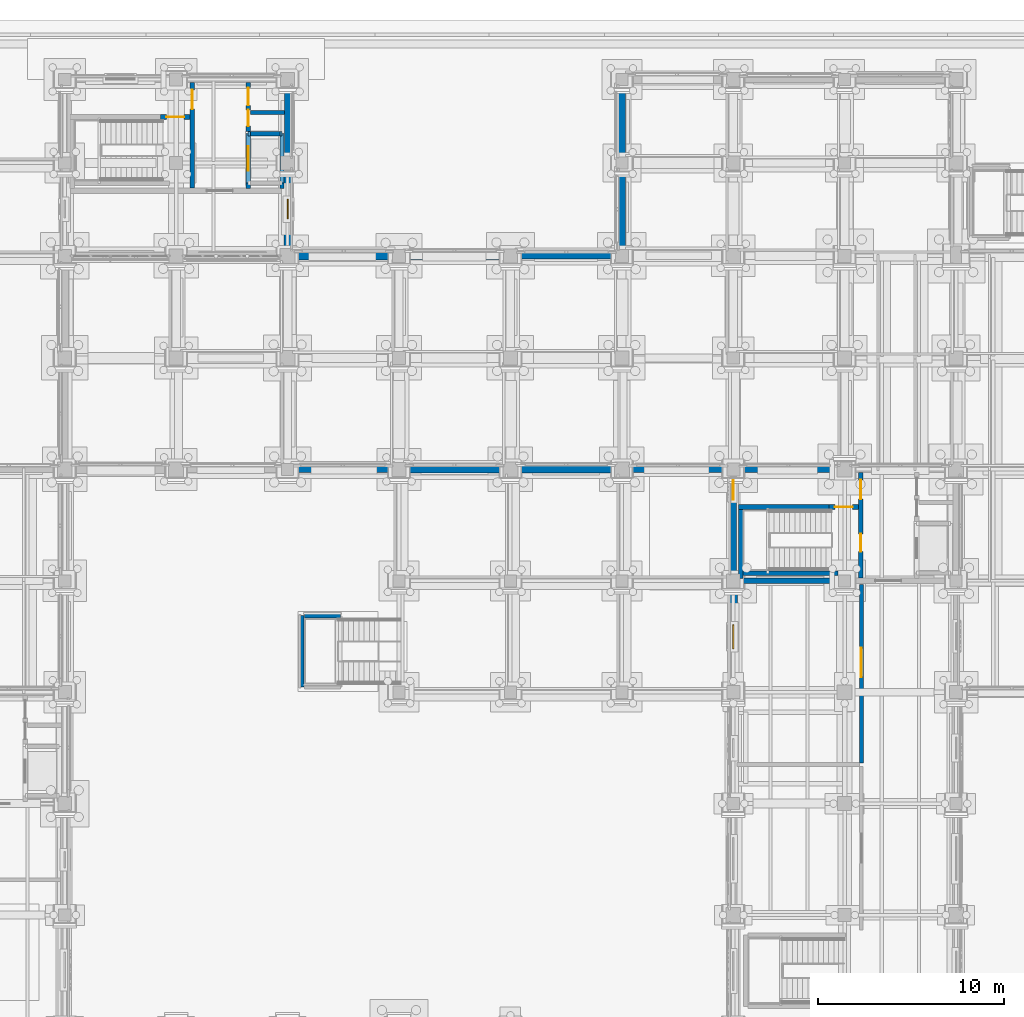
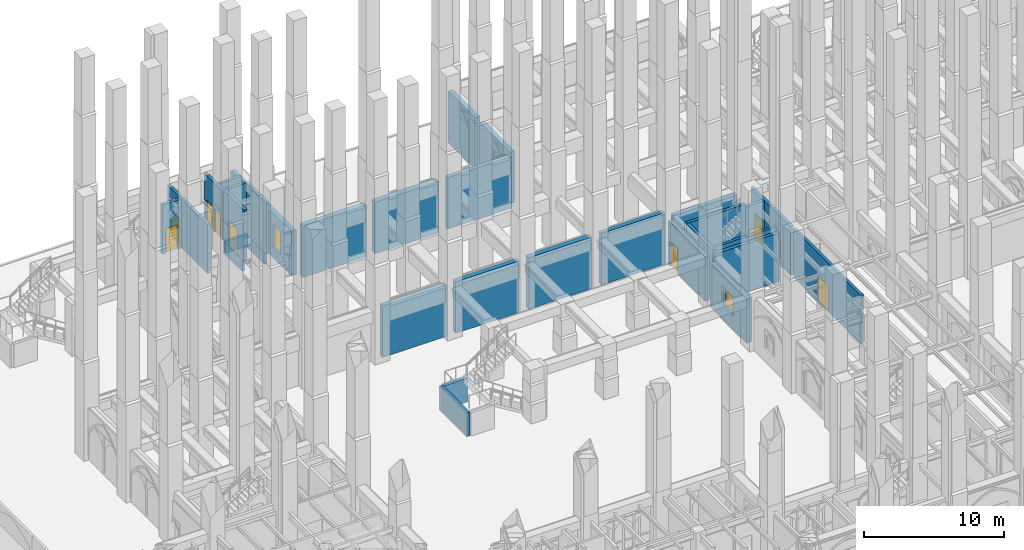
# One storey, part 62 of 135: 33 walls, 10 doors, 2 windows, 12 openings.
"""IFC4 building model written with IfcOpenShell, lengths in metres."""

from ifc_helpers import new_model, si_unit, direction, frame, frame_2d, origin, place, context, subcontext, project, spatial, rectangle, extrude, material, layer, layer_set, type_object, element, fill, save


model = new_model("IFC4")

# Units and contexts
model_context = context("Model", 3, precision=1e-05, world=origin(), true_north=direction((0.0, 1.0)))
body_context = subcontext(model_context, "Body", "Model", "MODEL_VIEW")
ifc_project = project(units=[si_unit("LENGTHUNIT", "METRE"), si_unit("AREAUNIT", "SQUARE_METRE"), si_unit("VOLUMEUNIT", "CUBIC_METRE"), si_unit("PLANEANGLEUNIT", "RADIAN"), si_unit("MASSUNIT", "GRAM", prefix="KILO")], contexts=[model_context])

# Site, building, storey
site_placement = place(None, origin())
site = spatial("IfcSite", under=ifc_project, at=site_placement, CompositionType="ELEMENT")
building_placement = place(site_placement, origin())
building = spatial("IfcBuilding", under=site, at=building_placement, Name="Cumevento Cable Car Station", CompositionType="ELEMENT")
storey_placement = place(building_placement, origin())
storey = spatial("IfcBuildingStorey", under=building, at=storey_placement, Name="L01", CompositionType="ELEMENT", Elevation=0.0)

# Wall
ifc_material_1 = material(Name="Concrete C40/50", Category="concrete")
ifc_layer_1 = layer(ifc_material_1, 0.35498046875)
ifc_layer_set_1 = layer_set([ifc_layer_1], Name="Concrete C40/50")
wall_type_1 = type_object("IfcWallType", Name="Exterior Envelope Wall EW-355 355", PredefinedType="SOLIDWALL", material=ifc_layer_set_1)
wall_1_placement = place(storey_placement, frame((58.35009765625, 45.0, 0.0), z_axis=(0.0, 0.0, 1.0), x_axis=(1.0, 0.0, 0.0)))
element("IfcWall", 1, at=wall_1_placement, inside=storey, type_object=wall_type_1, Name="Exterior Wall EW-355 L01 #40", PredefinedType="SOLIDWALL", context=body_context, shape_type="SweptSolid", body=[
    extrude(rectangle(XDim=5.25, YDim=0.35498046875, at=frame_2d((2.625, 0.0))), origin(), (0.0, 0.0, 1.0), 3.9580078125),
])

# Wall, opening, door
wall_2_placement = place(storey_placement, frame((58.0, 39.375, 0.0), z_axis=(0.0, 0.0, 1.0), x_axis=(0.0, 1.0, 0.0)))
wall_2 = element("IfcWall", 2, at=wall_2_placement, inside=storey, type_object=wall_type_1, Name="Exterior Wall EW-355 L01 #42", PredefinedType="SOLIDWALL", context=body_context, shape_type="SweptSolid", body=[
    extrude(rectangle(XDim=5.27490234375, YDim=0.35498046875, at=frame_2d((2.637451171875, 0.0))), origin(), (0.0, 0.0, 1.0), 3.8330078125),
])
opening_1_placement = place(wall_2_placement, frame((3.985107421875, 0.0, 0.0)))
opening_1 = element("IfcOpeningElement", 3, at=opening_1_placement, cuts=wall_2, Name="Opening DR-L01-EX1", PredefinedType="OPENING", context=body_context, shape_type="SweptSolid", body=[
    extrude(rectangle(XDim=1.050048828125, YDim=2.139892578125, at=frame_2d((0.52490234375, 1.06982421875))), frame((0.0, 0.1875, 0.0), z_axis=(0.0, -1.0, 0.0), x_axis=(1.0, 0.0, 0.0)), (0.0, 0.0, 1.0), 0.375),
])
ifc_material_2 = material(Name="Galvanised Painted Steel Door Assembly", Category="steel")
door_type_1 = type_object("IfcDoorType", Name="Exterior Door ED-11 1050x2140", OperationType="NOTDEFINED", PredefinedType="DOOR", material=ifc_material_2)
door_1_placement = place(opening_1_placement, origin())
door_1 = element("IfcDoor", 4, at=door_1_placement, inside=storey, type_object=door_type_1, Name="Final Pedestrian Exit E1 (Core C1)", OperationType="SINGLE_SWING_RIGHT", OverallHeight=2.139892578125, OverallWidth=1.050048828125, PredefinedType="DOOR", context=body_context, shape_type="SweptSolid", body=[
    extrude(rectangle(XDim=1.050048828125, YDim=2.139892578125, at=frame_2d((0.52490234375, 1.06982421875))), frame((0.0, 0.02490234375, 0.0), z_axis=(0.0, -1.0, 0.0), x_axis=(1.0, 0.0, 0.0)), (0.0, 0.0, 1.0), 0.050048828125),
])
fill(opening_1, door_1)

# Wall
wall_3_placement = place(storey_placement, frame((34.0, 65.625, 0.0), z_axis=(0.0, 0.0, 1.0), x_axis=(0.0, -1.0, 0.0)))
element("IfcWall", 5, at=wall_3_placement, inside=storey, type_object=wall_type_1, Name="Exterior Wall EW-355 L01 #63", PredefinedType="SOLIDWALL", context=body_context, shape_type="SweptSolid", body=[
    extrude(rectangle(XDim=3.75, YDim=0.35498046875, at=frame_2d((1.875, 0.0))), origin(), (0.0, 0.0, 1.0), 3.881103515625),
])

# Wall, opening, window
ifc_material_3 = material(Name="Concrete C40/50", Category="concrete")
ifc_layer_2 = layer(ifc_material_3, 0.39990234375)
ifc_layer_set_2 = layer_set([ifc_layer_2], Name="Concrete C40/50")
wall_type_2 = type_object("IfcWallType", Name="Exterior Envelope Wall EW-400 400", PredefinedType="SOLIDWALL", material=ifc_layer_set_2)
wall_4_placement = place(storey_placement, frame((34.0, 61.125, 0.0), z_axis=(0.0, 0.0, 1.0), x_axis=(0.0, -1.0, 0.0)))
wall_4 = element("IfcWall", 6, at=wall_4_placement, inside=storey, type_object=wall_type_2, Name="Exterior Wall EW-400 L01 #61", PredefinedType="SOLIDWALL", context=body_context, shape_type="SweptSolid", body=[
    extrude(rectangle(XDim=4.22509765625, YDim=0.39990234375, at=frame_2d((2.112548828125, 0.0))), origin(), (0.0, 0.0, 1.0), 3.881103515625),
])
opening_2_placement = place(wall_4_placement, frame((1.58740234375, 0.0, 0.85009765625)))
opening_2 = element("IfcOpeningElement", 7, at=opening_2_placement, cuts=wall_4, Name="Opening WN-L01-027", PredefinedType="OPENING", context=body_context, shape_type="SweptSolid", body=[
    extrude(rectangle(XDim=1.050048828125, YDim=2.050048828125, at=frame_2d((0.52490234375, 1.02490234375))), frame((0.0, 0.2099609375, 0.0), z_axis=(0.0, -1.0, 0.0), x_axis=(1.0, 0.0, 0.0)), (0.0, 0.0, 1.0), 0.419921875),
])
ifc_material_4 = material(Name="Anodised Bronze Aluminium & Laminated Solar Glass", Category="aluminium")
window_type_1 = type_object("IfcWindowType", Name="Lancet Window WN-03 1050x2050", PartitioningType="SINGLE_PANEL", PredefinedType="WINDOW", material=ifc_material_4)
window_1_placement = place(opening_2_placement, origin())
window_1 = element("IfcWindow", 8, at=window_1_placement, inside=storey, type_object=window_type_1, Name="Lancet Window WN-L01-027 (WN-03)", OverallHeight=2.050048828125, OverallWidth=1.050048828125, PartitioningType="SINGLE_PANEL", PredefinedType="WINDOW", context=body_context, shape_type="SweptSolid", body=[
    extrude(rectangle(XDim=1.050048828125, YDim=2.050048828125, at=frame_2d((0.52490234375, 1.02490234375))), frame((0.0, 0.030029296875, 0.0), z_axis=(0.0, -1.0, 0.0), x_axis=(1.0, 0.0, 0.0)), (0.0, 0.0, 1.0), 0.06005859375),
])
fill(opening_2, window_1)

ifc_material_5 = material(Name="Concrete C40/50", Category="concrete")
ifc_layer_3 = layer(ifc_material_5, 0.449951171875)
ifc_layer_set_3 = layer_set([ifc_layer_3], Name="Concrete C40/50")
wall_type_3 = type_object("IfcWallType", Name="Exterior Envelope Wall EW-450 450", PredefinedType="SOLIDWALL", material=ifc_layer_set_3)
wall_5_placement = place(storey_placement, frame((58.0, 33.35009765625, 0.0), z_axis=(0.0, 0.0, 1.0), x_axis=(0.0, 1.0, 0.0)))
wall_5 = element("IfcWall", 9, at=wall_5_placement, inside=storey, type_object=wall_type_3, Name="Exterior Wall EW-450 L01 #38", PredefinedType="SOLIDWALL", context=body_context, shape_type="SweptSolid", body=[
    extrude(rectangle(XDim=5.27490234375, YDim=0.449951171875, at=frame_2d((2.637451171875, 0.0))), origin(), (0.0, 0.0, 1.0), 3.8330078125),
])
opening_3_placement = place(wall_5_placement, frame((1.987548828125, 0.0, 1.300048828125)))
opening_3 = element("IfcOpeningElement", 10, at=opening_3_placement, cuts=wall_5, Name="Opening WN-L01-019", PredefinedType="OPENING", context=body_context, shape_type="SweptSolid", body=[
    extrude(rectangle(XDim=1.300048828125, YDim=1.449951171875, at=frame_2d((0.64990234375, 0.72509765625))), frame((0.0, 0.235107421875, 0.0), z_axis=(0.0, -1.0, 0.0), x_axis=(1.0, 0.0, 0.0)), (0.0, 0.0, 1.0), 0.469970703125),
])
ifc_material_6 = material(Name="Anodised Bronze Aluminium & Laminated Solar Glass", Category="aluminium")
window_type_2 = type_object("IfcWindowType", Name="Lancet Window WN-19 1300x1450", PartitioningType="SINGLE_PANEL", PredefinedType="WINDOW", material=ifc_material_6)
window_2_placement = place(opening_3_placement, origin())
window_2 = element("IfcWindow", 11, at=window_2_placement, inside=storey, type_object=window_type_2, Name="Lancet Window WN-L01-019 (WN-19)", OverallHeight=1.449951171875, OverallWidth=1.300048828125, PartitioningType="SINGLE_PANEL", PredefinedType="WINDOW", context=body_context, shape_type="SweptSolid", body=[
    extrude(rectangle(XDim=1.300048828125, YDim=1.449951171875, at=frame_2d((0.64990234375, 0.72509765625))), frame((0.0, 0.030029296875, 0.0), z_axis=(0.0, -1.0, 0.0), x_axis=(1.0, 0.0, 0.0)), (0.0, 0.0, 1.0), 0.06005859375),
])
fill(opening_3, window_2)

# Wall, opening, door
ifc_material_7 = material(Name="Concrete C40/50", Category="concrete")
ifc_layer_4 = layer(ifc_material_7, 0.219970703125)
ifc_layer_set_4 = layer_set([ifc_layer_4], Name="Concrete C40/50")
wall_type_4 = type_object("IfcWallType", Name="Interior Partition FW-220 220", PredefinedType="SOLIDWALL", material=ifc_layer_set_4)
wall_6_placement = place(storey_placement, frame((64.89990234375, 29.199951171875, 0.0), z_axis=(0.0, 0.0, 1.0), x_axis=(0.0, 1.0, 0.0)))
wall_6 = element("IfcWall", 12, at=wall_6_placement, inside=storey, type_object=wall_type_4, Name="Interior Wall FW-220 L01 #578", PredefinedType="SOLIDWALL", context=body_context, shape_type="SweptSolid", body=[
    extrude(rectangle(XDim=9.60009765625, YDim=0.219970703125, at=frame_2d((4.800048828125, 0.0))), origin(), (0.0, 0.0, 1.0), 4.251953125),
])
opening_4_placement = place(wall_6_placement, frame((4.610107421875, 0.0, 0.0)))
opening_4 = element("IfcOpeningElement", 13, at=opening_4_placement, cuts=wall_6, Name="Opening DR-L01-193", PredefinedType="OPENING", context=body_context, shape_type="SweptSolid", body=[
    extrude(rectangle(XDim=1.580078125, YDim=2.199951171875, at=frame_2d((0.7900390625, 1.10009765625))), frame((0.0, 0.119873046875, 0.0), z_axis=(0.0, -1.0, 0.0), x_axis=(1.0, 0.0, 0.0)), (0.0, 0.0, 1.0), 0.239990234375),
])
ifc_material_8 = material(Name="Galvanised Painted Steel Fire Door", Category="steel")
door_type_2 = type_object("IfcDoorType", Name="Interior Door FD-06 1580x2200", OperationType="NOTDEFINED", PredefinedType="DOOR", material=ifc_material_8)
door_2_placement = place(opening_4_placement, origin())
door_2 = element("IfcDoor", 14, at=door_2_placement, inside=storey, type_object=door_type_2, Name="Interior Door DR-L01-193 (FD-06)", OperationType="DOUBLE_DOOR_SINGLE_SWING", OverallHeight=2.199951171875, OverallWidth=1.580078125, PredefinedType="DOOR", context=body_context, shape_type="SweptSolid", body=[
    extrude(rectangle(XDim=1.580078125, YDim=2.199951171875, at=frame_2d((0.7900390625, 1.10009765625))), frame((0.0, 0.02490234375, 0.0), z_axis=(0.0, -1.0, 0.0), x_axis=(1.0, 0.0, 0.0)), (0.0, 0.0, 1.0), 0.050048828125),
])
fill(opening_4, door_2)

# Walls
ifc_material_9 = material(Name="Concrete C40/50", Category="concrete")
ifc_layer_5 = layer(ifc_material_9, 0.22998046875)
ifc_layer_set_5 = layer_set([ifc_layer_5], Name="Concrete C40/50")
wall_type_5 = type_object("IfcWallType", Name="Interior Shear Wall CW-230 230", PredefinedType="SHEAR", material=ifc_layer_set_5)
wall_7_placement = place(storey_placement, frame((58.405029296875, 39.114990234375, 0.0), z_axis=(0.0, 0.0, 1.0), x_axis=(0.0, 1.0, 0.0)))
element("IfcWall", 15, at=wall_7_placement, inside=storey, type_object=wall_type_5, Name="Interior Wall CW-230 L01 #143", PredefinedType="SHEAR", context=body_context, shape_type="SweptSolid", body=[
    extrude(rectangle(XDim=3.735107421875, YDim=0.22998046875, at=frame_2d((1.86767578125, 0.0))), origin(), (0.0, 0.0, 1.0), 4.5),
])
wall_8_placement = place(storey_placement, frame((58.52001953125, 39.405029296875, 0.0), z_axis=(0.0, 0.0, 1.0), x_axis=(1.0, 0.0, 0.0)))
element("IfcWall", 16, at=wall_8_placement, inside=storey, type_object=wall_type_5, Name="Interior Wall CW-230 L01 #144", PredefinedType="SHEAR", context=body_context, shape_type="SweptSolid", body=[
    extrude(rectangle(XDim=5.1298828125, YDim=0.22998046875, at=frame_2d((2.56494140625, 0.0))), origin(), (0.0, 0.0, 1.0), 4.5),
])
wall_9_placement = place(storey_placement, frame((33.699951171875, 60.419921875, -1.050048828125), z_axis=(0.0, 0.0, 1.0), x_axis=(0.0, 1.0, 0.0)))
element("IfcWall", 17, at=wall_9_placement, inside=storey, type_object=wall_type_5, Name="Interior Wall CW-230 L01 #339", PredefinedType="SHEAR", context=body_context, shape_type="SweptSolid", body=[
    extrude(rectangle(XDim=2.66015625, YDim=0.22998046875, at=frame_2d((1.330078125, 0.0))), origin(), (0.0, 0.0, 1.0), 1.050048828125),
])
wall_10_placement = place(storey_placement, frame((33.699951171875, 63.080078125, -1.050048828125), z_axis=(0.0, 0.0, 1.0), x_axis=(-1.0, 0.0, 0.0)))
element("IfcWall", 18, at=wall_10_placement, inside=storey, type_object=wall_type_5, Name="Interior Wall CW-230 L01 #340", PredefinedType="SHEAR", context=body_context, shape_type="SweptSolid", body=[
    extrude(rectangle(XDim=1.820068359375, YDim=0.22998046875, at=frame_2d((0.91015625, 0.0))), origin(), (0.0, 0.0, 1.0), 1.050048828125),
])
wall_11_placement = place(storey_placement, frame((31.8798828125, 63.080078125, -1.050048828125), z_axis=(0.0, 0.0, 1.0), x_axis=(0.0, -1.0, 0.0)))
element("IfcWall", 19, at=wall_11_placement, inside=storey, type_object=wall_type_5, Name="Interior Wall CW-230 L01 #341", PredefinedType="SHEAR", context=body_context, shape_type="SweptSolid", body=[
    extrude(rectangle(XDim=2.66015625, YDim=0.22998046875, at=frame_2d((1.330078125, 0.0))), origin(), (0.0, 0.0, 1.0), 1.050048828125),
])
wall_12_placement = place(storey_placement, frame((33.699951171875, 60.114990234375, 0.0), z_axis=(0.0, 0.0, 1.0), x_axis=(0.0, 1.0, 0.0)))
element("IfcWall", 20, at=wall_12_placement, inside=storey, type_object=wall_type_5, Name="Interior Wall CW-230 L01 #355", PredefinedType="SHEAR", context=body_context, shape_type="SweptSolid", body=[
    extrude(rectangle(XDim=2.965087890625, YDim=0.22998046875, at=frame_2d((1.482421875, 0.0))), origin(), (0.0, 0.0, 1.0), 4.5),
])
wall_13_placement = place(storey_placement, frame((32.0048828125, 63.080078125, 0.0), z_axis=(0.0, 0.0, 1.0), x_axis=(1.0, 0.0, 0.0)))
element("IfcWall", 21, at=wall_13_placement, inside=storey, type_object=wall_type_5, Name="Interior Wall CW-230 L01 #356", PredefinedType="SHEAR", context=body_context, shape_type="SweptSolid", body=[
    extrude(rectangle(XDim=1.580078125, YDim=0.22998046875, at=frame_2d((0.7900390625, 0.0))), origin(), (0.0, 0.0, 1.0), 4.5),
])
wall_14_placement = place(storey_placement, frame((32.0048828125, 64.219970703125, 0.0), z_axis=(0.0, 0.0, 1.0), x_axis=(1.0, 0.0, 0.0)))
element("IfcWall", 22, at=wall_14_placement, inside=storey, type_object=wall_type_5, Name="Interior Wall CW-230 L01 #358", PredefinedType="SHEAR", context=body_context, shape_type="SweptSolid", body=[
    extrude(rectangle(XDim=1.820068359375, YDim=0.22998046875, at=frame_2d((0.91015625, 0.0))), origin(), (0.0, 0.0, 1.0), 4.2880859375),
])
wall_15_placement = place(storey_placement, frame((34.780029296875, 33.280029296875, 0.0), z_axis=(0.0, 0.0, 1.0), x_axis=(0.0, 1.0, 0.0)))
element("IfcWall", 23, at=wall_15_placement, inside=storey, type_object=wall_type_5, Name="Interior Wall CW-230 L01 #545", PredefinedType="SHEAR", context=body_context, shape_type="SweptSolid", body=[
    extrude(rectangle(XDim=3.840087890625, YDim=0.22998046875, at=frame_2d((1.919921875, 0.0))), origin(), (0.0, 0.0, 1.0), 2.06689453125),
])
wall_16_placement = place(storey_placement, frame((34.89990234375, 37.1201171875, 0.0), z_axis=(0.0, 0.0, 1.0), x_axis=(1.0, 0.0, 0.0)))
element("IfcWall", 24, at=wall_16_placement, inside=storey, type_object=wall_type_5, Name="Interior Wall CW-230 L01 #547", PredefinedType="SHEAR", context=body_context, shape_type="SweptSolid", body=[
    extrude(rectangle(XDim=1.940185546875, YDim=0.22998046875, at=frame_2d((0.97021484375, 0.0))), origin(), (0.0, 0.0, 1.0), 2.06689453125),
])
ifc_material_10 = material(Name="Concrete C40/50", Category="concrete")
ifc_layer_6 = layer(ifc_material_10, 0.25)
ifc_layer_set_6 = layer_set([ifc_layer_6], Name="Concrete C40/50")
wall_type_6 = type_object("IfcWallType", Name="Interior Shear Wall CW-250 250", PredefinedType="SHEAR", material=ifc_layer_set_6)
wall_17_placement = place(storey_placement, frame((58.2900390625, 42.97509765625, 0.0), z_axis=(0.0, 0.0, 1.0), x_axis=(1.0, 0.0, 0.0)))
element("IfcWall", 25, at=wall_17_placement, inside=storey, type_object=wall_type_6, Name="Interior Wall CW-250 L01 #145", PredefinedType="SHEAR", context=body_context, shape_type="SweptSolid", body=[
    extrude(rectangle(XDim=4.869873046875, YDim=0.25, at=frame_2d((2.43505859375, 0.0))), origin(), (0.0, 0.0, 1.0), 4.5),
])

# Wall, opening, door
wall_18_placement = place(storey_placement, frame((63.159912109375, 42.97509765625, 0.0), z_axis=(0.0, 0.0, 1.0), x_axis=(1.0, 0.0, 0.0)))
wall_18 = element("IfcWall", 26, at=wall_18_placement, inside=storey, type_object=wall_type_6, Name="Interior Wall CW-250 L01 #146", PredefinedType="SHEAR", context=body_context, shape_type="SweptSolid", body=[
    extrude(rectangle(XDim=1.580078125, YDim=0.25, at=frame_2d((0.7900390625, 0.0))), origin(), (0.0, 0.0, 1.0), 4.239990234375),
])
opening_5_placement = place(wall_18_placement, frame((0.31005859375, 0.0, 0.0)))
opening_5 = element("IfcOpeningElement", 27, at=opening_5_placement, cuts=wall_18, Name="Opening DR-L01-002", PredefinedType="OPENING", context=body_context, shape_type="SweptSolid", body=[
    extrude(rectangle(XDim=0.9599609375, YDim=2.1201171875, at=frame_2d((0.47998046875, 1.06005859375))), frame((0.0, 0.135009765625, 0.0), z_axis=(0.0, -1.0, 0.0), x_axis=(1.0, 0.0, 0.0)), (0.0, 0.0, 1.0), 0.27001953125),
])
ifc_material_11 = material(Name="Galvanised Painted Steel Fire Door", Category="steel")
door_type_3 = type_object("IfcDoorType", Name="Interior Door FD-01 960x2120", OperationType="NOTDEFINED", PredefinedType="DOOR", material=ifc_material_11)
door_3_placement = place(opening_5_placement, origin())
door_3 = element("IfcDoor", 28, at=door_3_placement, inside=storey, type_object=door_type_3, Name="Stair ST-01 Enclosure Door L01", OperationType="SINGLE_SWING_LEFT", OverallHeight=2.1201171875, OverallWidth=0.9599609375, PredefinedType="DOOR", context=body_context, shape_type="SweptSolid", body=[
    extrude(rectangle(XDim=0.9599609375, YDim=2.1201171875, at=frame_2d((0.47998046875, 1.06005859375))), frame((0.0, 0.02490234375, 0.0), z_axis=(0.0, -1.0, 0.0), x_axis=(1.0, 0.0, 0.0)), (0.0, 0.0, 1.0), 0.050048828125),
])
fill(opening_5, door_3)

# Wall, openings, doors
wall_19_placement = place(storey_placement, frame((64.864990234375, 39.137451171875, 0.0), z_axis=(0.0, 0.0, 1.0), x_axis=(0.0, 1.0, 0.0)))
wall_19 = element("IfcWall", 29, at=wall_19_placement, inside=storey, type_object=wall_type_6, Name="Interior Wall CW-250 L01 #147", PredefinedType="SHEAR", context=body_context, shape_type="SweptSolid", body=[
    extrude(rectangle(XDim=5.6875, YDim=0.25, at=frame_2d((2.84375, 0.0))), origin(), (0.0, 0.0, 1.0), 4.239990234375),
])
opening_6_placement = place(wall_19_placement, frame((4.262451171875, 0.0, 0.0)))
opening_6 = element("IfcOpeningElement", 30, at=opening_6_placement, cuts=wall_19, Name="Opening DR-L01-003", PredefinedType="OPENING", context=body_context, shape_type="SweptSolid", body=[
    extrude(rectangle(XDim=1.0400390625, YDim=2.139892578125, at=frame_2d((0.52001953125, 1.06982421875))), frame((0.0, 0.135009765625, 0.0), z_axis=(0.0, -1.0, 0.0), x_axis=(1.0, 0.0, 0.0)), (0.0, 0.0, 1.0), 0.27001953125),
])
opening_7_placement = place(wall_19_placement, frame((1.4326171875, 0.0, 0.0)))
opening_7 = element("IfcOpeningElement", 31, at=opening_7_placement, cuts=wall_19, Name="Opening DR-L01-004", PredefinedType="OPENING", context=body_context, shape_type="SweptSolid", body=[
    extrude(rectangle(XDim=0.9599609375, YDim=2.1201171875, at=frame_2d((0.47998046875, 1.06005859375))), frame((0.0, 0.135009765625, 0.0), z_axis=(0.0, -1.0, 0.0), x_axis=(1.0, 0.0, 0.0)), (0.0, 0.0, 1.0), 0.27001953125),
])
door_4_placement = place(opening_7_placement, origin())
door_4 = element("IfcDoor", 32, at=door_4_placement, inside=storey, type_object=door_type_3, Name="Firefighting Lobby Direct Stair Door L01", OperationType="SINGLE_SWING_LEFT", OverallHeight=2.1201171875, OverallWidth=0.9599609375, PredefinedType="DOOR", context=body_context, shape_type="SweptSolid", body=[
    extrude(rectangle(XDim=0.9599609375, YDim=2.1201171875, at=frame_2d((0.47998046875, 1.06005859375))), frame((0.0, 0.02490234375, 0.0), z_axis=(0.0, -1.0, 0.0), x_axis=(1.0, 0.0, 0.0)), (0.0, 0.0, 1.0), 0.050048828125),
])
fill(opening_7, door_4)
ifc_material_12 = material(Name="Galvanised Painted Steel Fire Door", Category="steel")
door_type_4 = type_object("IfcDoorType", Name="Interior Door FD-02 1040x2140", OperationType="NOTDEFINED", PredefinedType="DOOR", material=ifc_material_12)
door_5_placement = place(opening_6_placement, origin())
door_5 = element("IfcDoor", 33, at=door_5_placement, inside=storey, type_object=door_type_4, Name="Lobby Vestibule Door CORE1 L01", OperationType="SINGLE_SWING_RIGHT", OverallHeight=2.139892578125, OverallWidth=1.0400390625, PredefinedType="DOOR", context=body_context, shape_type="SweptSolid", body=[
    extrude(rectangle(XDim=1.0400390625, YDim=2.139892578125, at=frame_2d((0.52001953125, 1.06982421875))), frame((0.0, 0.02490234375, 0.0), z_axis=(0.0, -1.0, 0.0), x_axis=(1.0, 0.0, 0.0)), (0.0, 0.0, 1.0), 0.050048828125),
])
fill(opening_6, door_5)

# Wall, opening, door
wall_20_placement = place(storey_placement, frame((27.159912109375, 63.97509765625, 0.0), z_axis=(0.0, 0.0, 1.0), x_axis=(1.0, 0.0, 0.0)))
wall_20 = element("IfcWall", 34, at=wall_20_placement, inside=storey, type_object=wall_type_6, Name="Interior Wall CW-250 L01 #351", PredefinedType="SHEAR", context=body_context, shape_type="SweptSolid", body=[
    extrude(rectangle(XDim=1.580078125, YDim=0.25, at=frame_2d((0.7900390625, 0.0))), origin(), (0.0, 0.0, 1.0), 4.2880859375),
])
opening_8_placement = place(wall_20_placement, frame((0.31005859375, 0.0, 0.0)))
opening_8 = element("IfcOpeningElement", 35, at=opening_8_placement, cuts=wall_20, Name="Opening DR-L01-101", PredefinedType="OPENING", context=body_context, shape_type="SweptSolid", body=[
    extrude(rectangle(XDim=0.9599609375, YDim=2.1201171875, at=frame_2d((0.47998046875, 1.06005859375))), frame((0.0, 0.135009765625, 0.0), z_axis=(0.0, -1.0, 0.0), x_axis=(1.0, 0.0, 0.0)), (0.0, 0.0, 1.0), 0.27001953125),
])
door_6_placement = place(opening_8_placement, origin())
door_6 = element("IfcDoor", 36, at=door_6_placement, inside=storey, type_object=door_type_3, Name="Stair ST-04 Enclosure Door L01", OperationType="SINGLE_SWING_RIGHT", OverallHeight=2.1201171875, OverallWidth=0.9599609375, PredefinedType="DOOR", context=body_context, shape_type="SweptSolid", body=[
    extrude(rectangle(XDim=0.9599609375, YDim=2.1201171875, at=frame_2d((0.47998046875, 1.06005859375))), frame((0.0, 0.02490234375, 0.0), z_axis=(0.0, -1.0, 0.0), x_axis=(1.0, 0.0, 0.0)), (0.0, 0.0, 1.0), 0.050048828125),
])
fill(opening_8, door_6)

wall_21_placement = place(storey_placement, frame((28.864990234375, 60.14990234375, 0.0), z_axis=(0.0, 0.0, 1.0), x_axis=(0.0, 1.0, 0.0)))
wall_21 = element("IfcWall", 37, at=wall_21_placement, inside=storey, type_object=wall_type_6, Name="Interior Wall CW-250 L01 #352", PredefinedType="SHEAR", context=body_context, shape_type="SweptSolid", body=[
    extrude(rectangle(XDim=5.675048828125, YDim=0.25, at=frame_2d((2.83740234375, 0.0))), origin(), (0.0, 0.0, 1.0), 4.2880859375),
])
opening_9_placement = place(wall_21_placement, frame((4.25, 0.0, 0.0)))
opening_9 = element("IfcOpeningElement", 38, at=opening_9_placement, cuts=wall_21, Name="Opening DR-L01-102", PredefinedType="OPENING", context=body_context, shape_type="SweptSolid", body=[
    extrude(rectangle(XDim=1.0400390625, YDim=2.139892578125, at=frame_2d((0.52001953125, 1.06982421875))), frame((0.0, 0.135009765625, 0.0), z_axis=(0.0, -1.0, 0.0), x_axis=(1.0, 0.0, 0.0)), (0.0, 0.0, 1.0), 0.27001953125),
])
door_7_placement = place(opening_9_placement, origin())
door_7 = element("IfcDoor", 39, at=door_7_placement, inside=storey, type_object=door_type_4, Name="Lobby Vestibule Door CORE4 L01", OperationType="SINGLE_SWING_LEFT", OverallHeight=2.139892578125, OverallWidth=1.0400390625, PredefinedType="DOOR", context=body_context, shape_type="SweptSolid", body=[
    extrude(rectangle(XDim=1.0400390625, YDim=2.139892578125, at=frame_2d((0.52001953125, 1.06982421875))), frame((0.0, 0.02490234375, 0.0), z_axis=(0.0, -1.0, 0.0), x_axis=(1.0, 0.0, 0.0)), (0.0, 0.0, 1.0), 0.050048828125),
])
fill(opening_9, door_7)

wall_22_placement = place(storey_placement, frame((31.8798828125, 60.114990234375, 0.0), z_axis=(0.0, 0.0, 1.0), x_axis=(0.0, 1.0, 0.0)))
wall_22 = element("IfcWall", 40, at=wall_22_placement, inside=storey, type_object=wall_type_6, Name="Interior Wall CW-250 L01 #353", PredefinedType="SHEAR", context=body_context, shape_type="SweptSolid", body=[
    extrude(rectangle(XDim=2.965087890625, YDim=0.25, at=frame_2d((1.482421875, 0.0))), origin(), (0.0, 0.0, 1.0), 4.5),
])
opening_10_placement = place(wall_22_placement, frame((0.97509765625, 0.0, 0.0)))
opening_10 = element("IfcOpeningElement", 41, at=opening_10_placement, cuts=wall_22, Name="Opening LD-LF04-L01", PredefinedType="OPENING", context=body_context, shape_type="SweptSolid", body=[
    extrude(rectangle(XDim=1.320068359375, YDim=2.199951171875, at=frame_2d((0.66015625, 1.10009765625))), frame((0.0, 0.135009765625, 0.0), z_axis=(0.0, -1.0, 0.0), x_axis=(1.0, 0.0, 0.0)), (0.0, 0.0, 1.0), 0.27001953125),
])
ifc_material_13 = material(Name="Brushed Stainless Steel Lift Door", Category="steel")
door_type_5 = type_object("IfcDoorType", Name="Interior Door LD-04 1320x2200", OperationType="NOTDEFINED", PredefinedType="DOOR", material=ifc_material_13)
door_8_placement = place(opening_10_placement, origin())
door_8 = element("IfcDoor", 42, at=door_8_placement, inside=storey, type_object=door_type_5, Name="Lift Landing Door LD-LF04-L01", OperationType="DOUBLE_DOOR_SLIDING", OverallHeight=2.199951171875, OverallWidth=1.320068359375, PredefinedType="DOOR", context=body_context, shape_type="SweptSolid", body=[
    extrude(rectangle(XDim=1.320068359375, YDim=2.199951171875, at=frame_2d((0.66015625, 1.10009765625))), frame((0.0, 0.02490234375, 0.0), z_axis=(0.0, -1.0, 0.0), x_axis=(1.0, 0.0, 0.0)), (0.0, 0.0, 1.0), 0.050048828125),
])
fill(opening_10, door_8)

# Wall, openings, doors
wall_23_placement = place(storey_placement, frame((31.8798828125, 63.199951171875, 0.0), z_axis=(0.0, 0.0, 1.0), x_axis=(0.0, 1.0, 0.0)))
wall_23 = element("IfcWall", 43, at=wall_23_placement, inside=storey, type_object=wall_type_6, Name="Interior Wall CW-250 L01 #357", PredefinedType="SHEAR", context=body_context, shape_type="SweptSolid", body=[
    extrude(rectangle(XDim=2.625, YDim=0.25, at=frame_2d((1.3125, 0.0))), origin(), (0.0, 0.0, 1.0), 4.2880859375),
])
opening_11_placement = place(wall_23_placement, frame((0.280029296875, 0.0, 0.0)))
opening_11 = element("IfcOpeningElement", 44, at=opening_11_placement, cuts=wall_23, Name="Opening DR-L01-104", PredefinedType="OPENING", context=body_context, shape_type="SweptSolid", body=[
    extrude(rectangle(XDim=0.8798828125, YDim=2.080078125, at=frame_2d((0.43994140625, 1.0400390625))), frame((0.0, 0.135009765625, 0.0), z_axis=(0.0, -1.0, 0.0), x_axis=(1.0, 0.0, 0.0)), (0.0, 0.0, 1.0), 0.27001953125),
])
opening_12_placement = place(wall_23_placement, frame((1.39990234375, 0.0, 0.0)))
opening_12 = element("IfcOpeningElement", 45, at=opening_12_placement, cuts=wall_23, Name="Opening DR-L01-105", PredefinedType="OPENING", context=body_context, shape_type="SweptSolid", body=[
    extrude(rectangle(XDim=0.9599609375, YDim=2.1201171875, at=frame_2d((0.47998046875, 1.06005859375))), frame((0.0, 0.135009765625, 0.0), z_axis=(0.0, -1.0, 0.0), x_axis=(1.0, 0.0, 0.0)), (0.0, 0.0, 1.0), 0.27001953125),
])
door_9_placement = place(opening_12_placement, origin())
door_9 = element("IfcDoor", 46, at=door_9_placement, inside=storey, type_object=door_type_3, Name="East Vestibule Lobby Door CORE4 L01", OperationType="SINGLE_SWING_LEFT", OverallHeight=2.1201171875, OverallWidth=0.9599609375, PredefinedType="DOOR", context=body_context, shape_type="SweptSolid", body=[
    extrude(rectangle(XDim=0.9599609375, YDim=2.1201171875, at=frame_2d((0.47998046875, 1.06005859375))), frame((0.0, 0.02490234375, 0.0), z_axis=(0.0, -1.0, 0.0), x_axis=(1.0, 0.0, 0.0)), (0.0, 0.0, 1.0), 0.050048828125),
])
fill(opening_12, door_9)
ifc_material_14 = material(Name="Galvanised Painted Steel Fire Door", Category="steel")
door_type_6 = type_object("IfcDoorType", Name="Interior Door FD-07 880x2080", OperationType="NOTDEFINED", PredefinedType="DOOR", material=ifc_material_14)
door_10_placement = place(opening_11_placement, origin())
door_10 = element("IfcDoor", 47, at=door_10_placement, inside=storey, type_object=door_type_6, Name="MEP Riser Access Door CORE4 L01", OperationType="SINGLE_SWING_RIGHT", OverallHeight=2.080078125, OverallWidth=0.8798828125, PredefinedType="DOOR", context=body_context, shape_type="SweptSolid", body=[
    extrude(rectangle(XDim=0.8798828125, YDim=2.080078125, at=frame_2d((0.43994140625, 1.0400390625))), frame((0.0, 0.02490234375, 0.0), z_axis=(0.0, -1.0, 0.0), x_axis=(1.0, 0.0, 0.0)), (0.0, 0.0, 1.0), 0.050048828125),
])
fill(opening_11, door_10)

# Walls
ifc_material_15 = material(Name="Concrete C40/50", Category="concrete")
ifc_layer_7 = layer(ifc_material_15, 0.27490234375)
ifc_layer_set_7 = layer_set([ifc_layer_7], Name="Concrete C40/50")
wall_type_7 = type_object("IfcWallType", Name="Interior Shear Wall CW-275 275", PredefinedType="SHEAR", material=ifc_layer_set_7)
wall_24_placement = place(storey_placement, frame((58.375, 39.0, 0.0), z_axis=(0.0, 0.0, 1.0), x_axis=(1.0, 0.0, 0.0)))
element("IfcWall", 48, at=wall_24_placement, inside=storey, type_object=wall_type_7, Name="Interior Wall CW-275 L01 #141", PredefinedType="SHEAR", context=body_context, shape_type="SweptSolid", body=[
    extrude(rectangle(XDim=5.300048828125, YDim=0.27490234375, at=frame_2d((2.64990234375, 0.0))), origin(), (0.0, 0.0, 1.0), 4.239990234375),
])
ifc_material_16 = material(Name="Concrete C40/50", Category="concrete")
ifc_layer_8 = layer(ifc_material_16, 0.340087890625)
ifc_layer_set_8 = layer_set([ifc_layer_8], Name="Concrete C40/50")
wall_type_8 = type_object("IfcWallType", Name="Retaining Wall RW-340 340", PredefinedType="USERDEFINED", material=ifc_layer_set_8)
wall_25_placement = place(storey_placement, frame((46.375, 56.5, 0.0), z_axis=(0.0, 0.0, 1.0), x_axis=(1.0, 0.0, 0.0)))
element("IfcWall", 49, at=wall_25_placement, inside=storey, type_object=wall_type_8, Name="Retaining Wall RW-340 L01 #18", ObjectType="RETAININGWALL", PredefinedType="USERDEFINED", context=body_context, shape_type="SweptSolid", body=[
    extrude(rectangle(XDim=5.27490234375, YDim=0.340087890625, at=frame_2d((2.637451171875, 0.0))), origin(), (0.0, 0.0, 1.0), 4.5),
])
ifc_material_17 = material(Name="Concrete C40/50", Category="concrete")
ifc_layer_9 = layer(ifc_material_17, 0.360107421875)
ifc_layer_set_9 = layer_set([ifc_layer_9], Name="Concrete C40/50")
wall_type_9 = type_object("IfcWallType", Name="Retaining Wall RW-360 360", PredefinedType="USERDEFINED", material=ifc_layer_set_9)
wall_26_placement = place(storey_placement, frame((34.324951171875, 45.0, 0.0), z_axis=(0.0, 0.0, 1.0), x_axis=(1.0, 0.0, 0.0)))
element("IfcWall", 50, at=wall_26_placement, inside=storey, type_object=wall_type_9, Name="Retaining Wall RW-360 L01 #13", ObjectType="RETAININGWALL", PredefinedType="USERDEFINED", context=body_context, shape_type="SweptSolid", body=[
    extrude(rectangle(XDim=5.300048828125, YDim=0.360107421875, at=frame_2d((2.64990234375, 0.0))), origin(), (0.0, 0.0, 1.0), 4.5),
])
wall_27_placement = place(storey_placement, frame((52.39990234375, 45.0, 0.0), z_axis=(0.0, 0.0, 1.0), x_axis=(1.0, 0.0, 0.0)))
element("IfcWall", 51, at=wall_27_placement, inside=storey, type_object=wall_type_9, Name="Retaining Wall RW-360 L01 #31", ObjectType="RETAININGWALL", PredefinedType="USERDEFINED", context=body_context, shape_type="SweptSolid", body=[
    extrude(rectangle(XDim=5.25, YDim=0.360107421875, at=frame_2d((2.625, 0.0))), origin(), (0.0, 0.0, 1.0), 4.5),
])
ifc_material_18 = material(Name="Concrete C40/50", Category="concrete")
ifc_layer_10 = layer(ifc_material_18, 0.385009765625)
ifc_layer_set_10 = layer_set([ifc_layer_10], Name="Concrete C40/50")
wall_type_10 = type_object("IfcWallType", Name="Retaining Wall RW-385 385", PredefinedType="USERDEFINED", material=ifc_layer_set_10)
wall_28_placement = place(storey_placement, frame((40.375, 45.0, 0.0), z_axis=(0.0, 0.0, 1.0), x_axis=(1.0, 0.0, 0.0)))
element("IfcWall", 52, at=wall_28_placement, inside=storey, type_object=wall_type_10, Name="Retaining Wall RW-385 L01 #14", ObjectType="RETAININGWALL", PredefinedType="USERDEFINED", context=body_context, shape_type="SweptSolid", body=[
    extrude(rectangle(XDim=5.22509765625, YDim=0.385009765625, at=frame_2d((2.612548828125, 0.0))), origin(), (0.0, 0.0, 1.0), 4.5),
])
wall_29_placement = place(storey_placement, frame((52.0, 56.85009765625, 0.0), z_axis=(0.0, 0.0, 1.0), x_axis=(0.0, 1.0, 0.0)))
element("IfcWall", 53, at=wall_29_placement, inside=storey, type_object=wall_type_10, Name="Retaining Wall RW-385 L01 #62", ObjectType="RETAININGWALL", PredefinedType="USERDEFINED", context=body_context, shape_type="SweptSolid", body=[
    extrude(rectangle(XDim=4.324951171875, YDim=0.385009765625, at=frame_2d((2.16259765625, 0.0))), origin(), (0.0, 0.0, 1.0), 4.5),
])
ifc_material_19 = material(Name="Concrete C40/50", Category="concrete")
ifc_layer_11 = layer(ifc_material_19, 0.409912109375)
ifc_layer_set_11 = layer_set([ifc_layer_11], Name="Concrete C40/50")
wall_type_11 = type_object("IfcWallType", Name="Retaining Wall RW-410 410", PredefinedType="USERDEFINED", material=ifc_layer_set_11)
wall_30_placement = place(storey_placement, frame((46.39990234375, 45.0, 0.0), z_axis=(0.0, 0.0, 1.0), x_axis=(1.0, 0.0, 0.0)))
element("IfcWall", 54, at=wall_30_placement, inside=storey, type_object=wall_type_11, Name="Retaining Wall RW-410 L01 #15", ObjectType="RETAININGWALL", PredefinedType="USERDEFINED", context=body_context, shape_type="SweptSolid", body=[
    extrude(rectangle(XDim=5.2001953125, YDim=0.409912109375, at=frame_2d((2.60009765625, 0.0))), origin(), (0.0, 0.0, 1.0), 4.5),
])
wall_31_placement = place(storey_placement, frame((52.0, 61.824951171875, 0.0), z_axis=(0.0, 0.0, 1.0), x_axis=(0.0, 1.0, 0.0)))
element("IfcWall", 55, at=wall_31_placement, inside=storey, type_object=wall_type_11, Name="Retaining Wall RW-410 L01 #63", ObjectType="RETAININGWALL", PredefinedType="USERDEFINED", context=body_context, shape_type="SweptSolid", body=[
    extrude(rectangle(XDim=3.85009765625, YDim=0.409912109375, at=frame_2d((1.925048828125, 0.0))), origin(), (0.0, 0.0, 1.0), 4.5),
])
ifc_material_20 = material(Name="Concrete C40/50", Category="concrete")
ifc_layer_12 = layer(ifc_material_20, 0.43505859375)
ifc_layer_set_12 = layer_set([ifc_layer_12], Name="Concrete C40/50")
wall_type_12 = type_object("IfcWallType", Name="Retaining Wall RW-435 435", PredefinedType="USERDEFINED", material=ifc_layer_set_12)
wall_32_placement = place(storey_placement, frame((34.39990234375, 56.5, 0.0), z_axis=(0.0, 0.0, 1.0), x_axis=(1.0, 0.0, 0.0)))
element("IfcWall", 56, at=wall_32_placement, inside=storey, type_object=wall_type_12, Name="Retaining Wall RW-435 L01 #16", ObjectType="RETAININGWALL", PredefinedType="USERDEFINED", context=body_context, shape_type="SweptSolid", body=[
    extrude(rectangle(XDim=5.25, YDim=0.43505859375, at=frame_2d((2.625, 0.0))), origin(), (0.0, 0.0, 1.0), 4.5),
])
ifc_material_21 = material(Name="Concrete C40/50", Category="concrete")
ifc_layer_13 = layer(ifc_material_21, 0.4599609375)
ifc_layer_set_13 = layer_set([ifc_layer_13], Name="Concrete C40/50")
wall_type_13 = type_object("IfcWallType", Name="Retaining Wall RW-460 460", PredefinedType="USERDEFINED", material=ifc_layer_set_13)
wall_33_placement = place(storey_placement, frame((40.35009765625, 56.5, 0.0), z_axis=(0.0, 0.0, 1.0), x_axis=(1.0, 0.0, 0.0)))
element("IfcWall", 57, at=wall_33_placement, inside=storey, type_object=wall_type_13, Name="Retaining Wall RW-460 L01 #17", ObjectType="RETAININGWALL", PredefinedType="USERDEFINED", context=body_context, shape_type="SweptSolid", body=[
    extrude(rectangle(XDim=5.27490234375, YDim=0.4599609375, at=frame_2d((2.637451171875, 0.0))), origin(), (0.0, 0.0, 1.0), 4.5),
])

save(model, "model.ifc")
